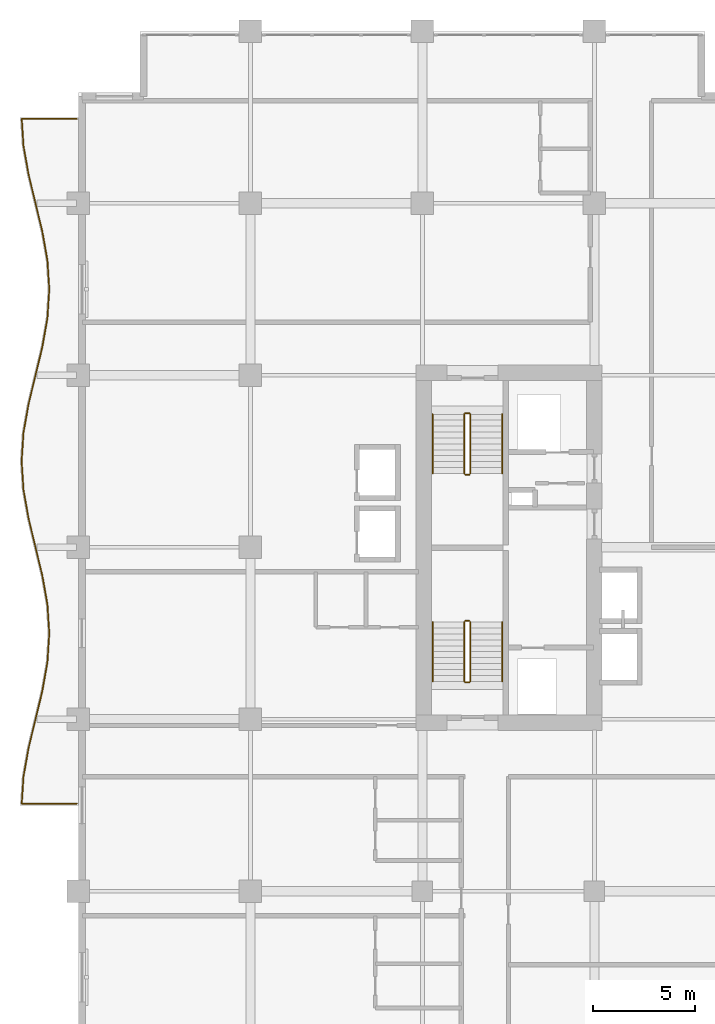
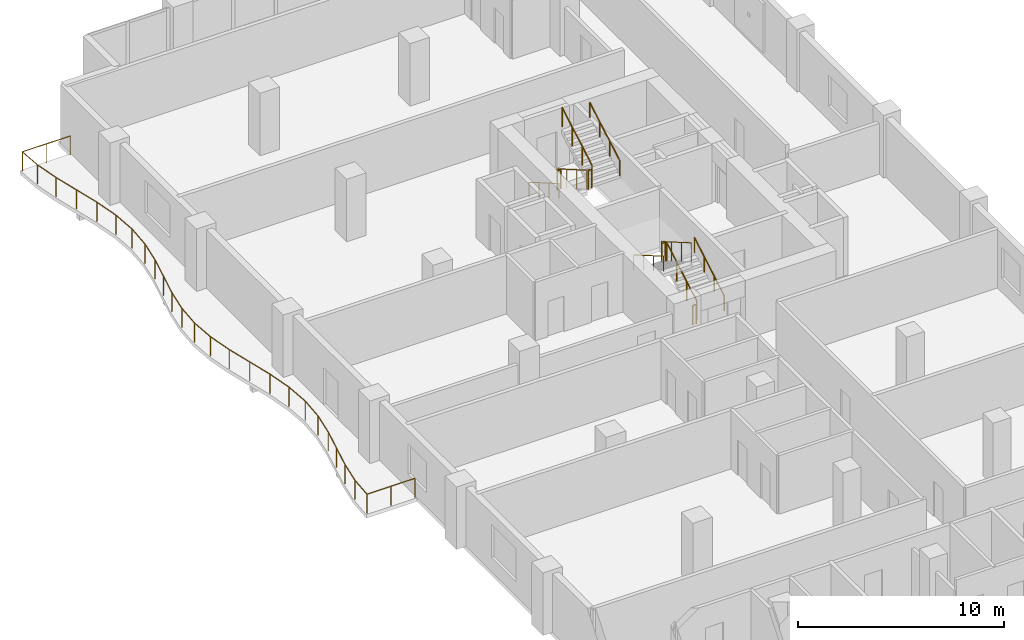
# One storey, part 19 of 20: 13 railings.
"""IFC4 building model written with IfcOpenShell, lengths in metres."""

from ifc_helpers import new_model, si_unit, direction, frame, origin, origin_2d, place, context, subcontext, project, spatial, circle, extrude, material, type_object, element, save


model = new_model("IFC4")

# Units and contexts
model_context = context("Model", 3, precision=1e-05, world=origin(), true_north=direction((0.0, 1.0)))
body_context = subcontext(model_context, "Body", "Model", "MODEL_VIEW")
ifc_project = project(units=[si_unit("LENGTHUNIT", "METRE"), si_unit("AREAUNIT", "SQUARE_METRE"), si_unit("VOLUMEUNIT", "CUBIC_METRE"), si_unit("PLANEANGLEUNIT", "RADIAN"), si_unit("MASSUNIT", "GRAM", prefix="KILO")], contexts=[model_context])

# Site, building, storey
site_placement = place(None, origin())
site = spatial("IfcSite", under=ifc_project, at=site_placement, CompositionType="ELEMENT")
building_placement = place(site_placement, origin())
building = spatial("IfcBuilding", under=site, at=building_placement, Name="Koriwani Terraces Tower", CompositionType="ELEMENT")
storey_placement = place(building_placement, frame((0.0, 0.0, 175.39990234375)))
storey = spatial("IfcBuildingStorey", under=building, at=storey_placement, Name="L42", CompositionType="ELEMENT", Elevation=175.39990234375)

# Railings
ifc_material = material(Name="Steel ASTM A572 Grade 50", Category="steel")
railing_type_1 = type_object("IfcRailingType", Name="GUARD_BALUSTRADE_1150", PredefinedType="BALUSTRADE", material=ifc_material)
railing_1_placement = place(storey_placement, frame((-0.080078125, 37.8798828125, 0.0)))
element("IfcRailing", 1, at=railing_1_placement, inside=storey, type_object=railing_type_1, Name="L42 Balcony Perimeter Safety Balustrade (W)", PredefinedType="BALUSTRADE", context=body_context, shape_type="SweptSolid", body=[
    extrude(circle(Radius=0.02392578125, at=origin_2d()), frame((0.0, 0.0, 1.1259765625), z_axis=(-1.0, 0.0, 0.0), x_axis=(0.0, -1.0, 0.0)), (0.0, 0.0, 1.0), 2.6845703125),
    extrude(circle(Radius=0.02392578125, at=origin_2d()), frame((-2.6845703125, 0.0, 1.1259765625), z_axis=(0.064322557637, 0.997929160101, 0.0), x_axis=(-0.997929160101, 0.064322557637, 0.0)), (0.0, 0.0, 1.0), 1.313232421875),
    extrude(circle(Radius=0.02392578125, at=origin_2d()), frame((-2.60009765625, 1.310546875, 1.1259765625), z_axis=(0.173932985997, 0.984757491153, 0.0), x_axis=(-0.984757491153, 0.173932985997, 0.0)), (0.0, 0.0, 1.0), 1.414794921875),
    extrude(circle(Radius=0.02392578125, at=origin_2d()), frame((-2.35400390625, 2.703857421875, 1.1259765625), z_axis=(0.234289744186, 0.972166814785, 0.0), x_axis=(-0.972166814785, 0.234289744186, 0.0)), (0.0, 0.0, 1.0), 2.880126953125),
    extrude(circle(Radius=0.02392578125, at=origin_2d()), frame((-1.67919921875, 5.50390625, 1.1259765625), z_axis=(0.173814583381, 0.984778396698, 0.0), x_axis=(-0.984778396698, 0.173814583381, 0.0)), (0.0, 0.0, 1.0), 1.428466796875),
    extrude(circle(Radius=0.02392578125, at=origin_2d()), frame((-1.430908203125, 6.91064453125, 1.1259765625), z_axis=(0.064304534842, 0.997930321615, 0.0), x_axis=(-0.997930321615, 0.064304534842, 0.0)), (0.0, 0.0, 1.0), 1.412353515625),
    extrude(circle(Radius=0.02392578125, at=origin_2d()), frame((-1.340087890625, 8.320068359375, 1.1259765625), z_axis=(-0.064293443969, 0.997931036226, 0.0), x_axis=(-0.997931036226, -0.064293443969, 0.0)), (0.0, 0.0, 1.0), 1.41259765625),
    extrude(circle(Radius=0.02392578125, at=origin_2d()), frame((-1.430908203125, 9.729736328125, 1.1259765625), z_axis=(-0.173814583381, 0.984778396698, 0.0), x_axis=(-0.984778396698, -0.173814583381, 0.0)), (0.0, 0.0, 1.0), 1.428466796875),
    extrude(circle(Radius=0.02392578125, at=origin_2d()), frame((-1.67919921875, 11.136474609375, 1.1259765625), z_axis=(-0.234289744186, 0.972166814785, 0.0), x_axis=(-0.972166814785, -0.234289744186, 0.0)), (0.0, 0.0, 1.0), 2.880126953125),
    extrude(circle(Radius=0.02392578125, at=origin_2d()), frame((-2.35400390625, 13.9365234375, 1.1259765625), z_axis=(-0.173932985997, 0.984757491153, 0.0), x_axis=(-0.984757491153, -0.173932985997, 0.0)), (0.0, 0.0, 1.0), 1.414794921875),
    extrude(circle(Radius=0.02392578125, at=origin_2d()), frame((-2.60009765625, 15.329833984375, 1.1259765625), z_axis=(-0.064309099225, 0.997930027485, 0.0), x_axis=(-0.997930027485, -0.064309099225, 0.0)), (0.0, 0.0, 1.0), 1.393310546875),
    extrude(circle(Radius=0.02392578125, at=origin_2d()), frame((-2.689697265625, 16.72021484375, 1.1259765625), z_axis=(0.064309099225, 0.997930027485, 0.0), x_axis=(-0.997930027485, 0.064309099225, 0.0)), (0.0, 0.0, 1.0), 1.393310546875),
    extrude(circle(Radius=0.02392578125, at=origin_2d()), frame((-2.60009765625, 18.110595703125, 1.1259765625), z_axis=(0.173932985997, 0.984757491153, 0.0), x_axis=(-0.984757491153, 0.173932985997, 0.0)), (0.0, 0.0, 1.0), 1.414794921875),
    extrude(circle(Radius=0.02392578125, at=origin_2d()), frame((-2.35400390625, 19.50390625, 1.1259765625), z_axis=(0.234309052487, 0.97216216133, 0.0), x_axis=(-0.97216216133, 0.234309052487, 0.0)), (0.0, 0.0, 1.0), 2.8798828125),
    extrude(circle(Radius=0.02392578125, at=origin_2d()), frame((-1.67919921875, 22.3037109375, 1.1259765625), z_axis=(0.173785333909, 0.984783558818, 0.0), x_axis=(-0.984783558818, 0.173785333909, 0.0)), (0.0, 0.0, 1.0), 1.4287109375),
    extrude(circle(Radius=0.02392578125, at=origin_2d()), frame((-1.430908203125, 23.710693359375, 1.1259765625), z_axis=(0.064304534842, 0.997930321615, 0.0), x_axis=(-0.997930321615, 0.064304534842, 0.0)), (0.0, 0.0, 1.0), 1.412353515625),
    extrude(circle(Radius=0.02392578125, at=origin_2d()), frame((-1.340087890625, 25.1201171875, 1.1259765625), z_axis=(-0.064304534842, 0.997930321615, 0.0), x_axis=(-0.997930321615, -0.064304534842, 0.0)), (0.0, 0.0, 1.0), 1.412353515625),
    extrude(circle(Radius=0.02392578125, at=origin_2d()), frame((-1.430908203125, 26.529541015625, 1.1259765625), z_axis=(-0.173785333909, 0.984783558818, 0.0), x_axis=(-0.984783558818, -0.173785333909, 0.0)), (0.0, 0.0, 1.0), 1.4287109375),
    extrude(circle(Radius=0.02392578125, at=origin_2d()), frame((-1.67919921875, 27.9365234375, 1.1259765625), z_axis=(-0.234309052487, 0.97216216133, 0.0), x_axis=(-0.97216216133, -0.234309052487, 0.0)), (0.0, 0.0, 1.0), 2.8798828125),
    extrude(circle(Radius=0.02392578125, at=origin_2d()), frame((-2.35400390625, 30.736328125, 1.1259765625), z_axis=(-0.173932985997, 0.984757491153, 0.0), x_axis=(-0.984757491153, -0.173932985997, 0.0)), (0.0, 0.0, 1.0), 1.414794921875),
    extrude(circle(Radius=0.02392578125, at=origin_2d()), frame((-2.60009765625, 32.129638671875, 1.1259765625), z_axis=(-0.064322557637, 0.997929160101, 0.0), x_axis=(-0.997929160101, -0.064322557637, 0.0)), (0.0, 0.0, 1.0), 1.313232421875),
    extrude(circle(Radius=0.02392578125, at=origin_2d()), frame((-2.6845703125, 33.440185546875, 1.1259765625), z_axis=(1.0, 0.0, 0.0), x_axis=(0.0, 1.0, 0.0)), (0.0, 0.0, 1.0), 2.6845703125),
    extrude(circle(Radius=0.02099609375, at=origin_2d()), origin(), (0.0, 0.0, 1.0), 1.101806640625),
    extrude(circle(Radius=0.02099609375, at=origin_2d()), frame((-1.34228515625, 0.0, 0.0)), (0.0, 0.0, 1.0), 1.101806640625),
    extrude(circle(Radius=0.02099609375, at=origin_2d()), frame((-2.6845703125, 0.0, 0.0)), (0.0, 0.0, 1.0), 1.101806640625),
    extrude(circle(Radius=0.02099609375, at=origin_2d()), frame((-2.60009765625, 1.310546875, 0.0)), (0.0, 0.0, 1.0), 1.101806640625),
    extrude(circle(Radius=0.02099609375, at=origin_2d()), frame((-2.35400390625, 2.703857421875, 0.0)), (0.0, 0.0, 1.0), 1.101806640625),
    extrude(circle(Radius=0.02099609375, at=origin_2d()), frame((-2.0166015625, 4.10400390625, 0.0)), (0.0, 0.0, 1.0), 1.101806640625),
    extrude(circle(Radius=0.02099609375, at=origin_2d()), frame((-1.67919921875, 5.50390625, 0.0)), (0.0, 0.0, 1.0), 1.101806640625),
    extrude(circle(Radius=0.02099609375, at=origin_2d()), frame((-1.430908203125, 6.91064453125, 0.0)), (0.0, 0.0, 1.0), 1.101806640625),
    extrude(circle(Radius=0.02099609375, at=origin_2d()), frame((-1.340087890625, 8.320068359375, 0.0)), (0.0, 0.0, 1.0), 1.101806640625),
    extrude(circle(Radius=0.02099609375, at=origin_2d()), frame((-1.430908203125, 9.729736328125, 0.0)), (0.0, 0.0, 1.0), 1.101806640625),
    extrude(circle(Radius=0.02099609375, at=origin_2d()), frame((-1.67919921875, 11.136474609375, 0.0)), (0.0, 0.0, 1.0), 1.101806640625),
    extrude(circle(Radius=0.02099609375, at=origin_2d()), frame((-2.0166015625, 12.53662109375, 0.0)), (0.0, 0.0, 1.0), 1.101806640625),
    extrude(circle(Radius=0.02099609375, at=origin_2d()), frame((-2.35400390625, 13.9365234375, 0.0)), (0.0, 0.0, 1.0), 1.101806640625),
    extrude(circle(Radius=0.02099609375, at=origin_2d()), frame((-2.60009765625, 15.329833984375, 0.0)), (0.0, 0.0, 1.0), 1.101806640625),
    extrude(circle(Radius=0.02099609375, at=origin_2d()), frame((-2.689697265625, 16.72021484375, 0.0)), (0.0, 0.0, 1.0), 1.101806640625),
    extrude(circle(Radius=0.02099609375, at=origin_2d()), frame((-2.60009765625, 18.110595703125, 0.0)), (0.0, 0.0, 1.0), 1.101806640625),
    extrude(circle(Radius=0.02099609375, at=origin_2d()), frame((-2.35400390625, 19.50390625, 0.0)), (0.0, 0.0, 1.0), 1.101806640625),
    extrude(circle(Radius=0.02099609375, at=origin_2d()), frame((-2.0166015625, 20.90380859375, 0.0)), (0.0, 0.0, 1.0), 1.101806640625),
    extrude(circle(Radius=0.02099609375, at=origin_2d()), frame((-1.67919921875, 22.3037109375, 0.0)), (0.0, 0.0, 1.0), 1.101806640625),
    extrude(circle(Radius=0.02099609375, at=origin_2d()), frame((-1.430908203125, 23.710693359375, 0.0)), (0.0, 0.0, 1.0), 1.101806640625),
    extrude(circle(Radius=0.02099609375, at=origin_2d()), frame((-1.340087890625, 25.1201171875, 0.0)), (0.0, 0.0, 1.0), 1.101806640625),
    extrude(circle(Radius=0.02099609375, at=origin_2d()), frame((-1.430908203125, 26.529541015625, 0.0)), (0.0, 0.0, 1.0), 1.101806640625),
    extrude(circle(Radius=0.02099609375, at=origin_2d()), frame((-1.67919921875, 27.9365234375, 0.0)), (0.0, 0.0, 1.0), 1.101806640625),
    extrude(circle(Radius=0.02099609375, at=origin_2d()), frame((-2.0166015625, 29.33642578125, 0.0)), (0.0, 0.0, 1.0), 1.101806640625),
    extrude(circle(Radius=0.02099609375, at=origin_2d()), frame((-2.35400390625, 30.736328125, 0.0)), (0.0, 0.0, 1.0), 1.101806640625),
    extrude(circle(Radius=0.02099609375, at=origin_2d()), frame((-2.60009765625, 32.129638671875, 0.0)), (0.0, 0.0, 1.0), 1.101806640625),
    extrude(circle(Radius=0.02099609375, at=origin_2d()), frame((-2.6845703125, 33.440185546875, 0.0)), (0.0, 0.0, 1.0), 1.101806640625),
    extrude(circle(Radius=0.02099609375, at=origin_2d()), frame((-1.34228515625, 33.440185546875, 0.0)), (0.0, 0.0, 1.0), 1.101806640625),
    extrude(circle(Radius=0.02099609375, at=origin_2d()), frame((0.0, 33.440185546875, 0.0)), (0.0, 0.0, 1.0), 1.101806640625),
])
railing_type_2 = type_object("IfcRailingType", Name="GUARD_STAIR_WELL_1120", PredefinedType="GUARDRAIL", material=ifc_material)
railing_2_placement = place(storey_placement, frame((19.14990234375, 43.85009765625, 0.168212890625)))
element("IfcRailing", 2, at=railing_2_placement, inside=storey, type_object=railing_type_2, Name="L42 ST-W1 stair guard 1", PredefinedType="GUARDRAIL", context=body_context, shape_type="SweptSolid", body=[
    extrude(circle(Radius=0.02392578125, at=origin_2d()), frame((0.0, 0.0, 1.1259765625), z_axis=(0.0, 0.865038774852, 0.501705010941), x_axis=(-1.0, 0.0, 0.0)), (0.0, 0.0, 1.0), 3.352294921875),
    extrude(circle(Radius=0.02099609375, at=origin_2d()), origin(), (0.0, 0.0, 1.0), 1.101806640625),
    extrude(circle(Radius=0.02099609375, at=origin_2d()), frame((0.0, 0.966552734375, 0.560546875)), (0.0, 0.0, 1.0), 1.101806640625),
    extrude(circle(Radius=0.02099609375, at=origin_2d()), frame((0.0, 1.933349609375, 1.121337890625)), (0.0, 0.0, 1.0), 1.101806640625),
    extrude(circle(Radius=0.02099609375, at=origin_2d()), frame((0.0, 2.89990234375, 1.681884765625)), (0.0, 0.0, 1.0), 1.101806640625),
])
railing_3_placement = place(storey_placement, frame((19.10009765625, 46.800048828125, 1.85009765625)))
element("IfcRailing", 3, at=railing_3_placement, inside=storey, type_object=railing_type_2, Name="L42 ST-W1 stair guard 2", PredefinedType="GUARDRAIL", context=body_context, shape_type="SweptSolid", body=[
    extrude(circle(Radius=0.02392578125, at=origin_2d()), frame((0.0, 0.0, 1.1259765625), z_axis=(-1.0, 0.0, 0.0), x_axis=(0.0, -1.0, 0.0)), (0.0, 0.0, 1.0), 0.2001953125),
    extrude(circle(Radius=0.02099609375, at=origin_2d()), origin(), (0.0, 0.0, 1.0), 1.101806640625),
    extrude(circle(Radius=0.02099609375, at=origin_2d()), frame((-0.2001953125, 0.0, 0.0)), (0.0, 0.0, 1.0), 1.101806640625),
])
railing_4_placement = place(storey_placement, frame((18.85009765625, 46.75, 2.018310546875)))
element("IfcRailing", 4, at=railing_4_placement, inside=storey, type_object=railing_type_2, Name="L42 ST-W1 stair guard 3", PredefinedType="GUARDRAIL", context=body_context, shape_type="SweptSolid", body=[
    extrude(circle(Radius=0.02392578125, at=origin_2d()), frame((0.0, 0.0, 1.1259765625), z_axis=(0.0, -0.865038774852, 0.501705010941), x_axis=(1.0, 0.0, 0.0)), (0.0, 0.0, 1.0), 3.352294921875),
    extrude(circle(Radius=0.02099609375, at=origin_2d()), origin(), (0.0, 0.0, 1.0), 1.101806640625),
    extrude(circle(Radius=0.02099609375, at=origin_2d()), frame((0.0, -0.966552734375, 0.560546875)), (0.0, 0.0, 1.0), 1.101806640625),
    extrude(circle(Radius=0.02099609375, at=origin_2d()), frame((0.0, -1.933349609375, 1.121337890625)), (0.0, 0.0, 1.0), 1.101806640625),
    extrude(circle(Radius=0.02099609375, at=origin_2d()), frame((0.0, -2.89990234375, 1.681884765625)), (0.0, 0.0, 1.0), 1.101806640625),
])
railing_5_placement = place(storey_placement, frame((19.10009765625, 43.800048828125, 0.0)))
element("IfcRailing", 5, at=railing_5_placement, inside=storey, type_object=railing_type_2, Name="L42 ST-W1 stair guard 4", PredefinedType="GUARDRAIL", context=body_context, shape_type="SweptSolid", body=[
    extrude(circle(Radius=0.02392578125, at=origin_2d()), frame((0.0, 0.0, 1.1259765625), z_axis=(-1.0, 0.0, 0.0), x_axis=(0.0, -1.0, 0.0)), (0.0, 0.0, 1.0), 0.2001953125),
    extrude(circle(Radius=0.02099609375, at=origin_2d()), origin(), (0.0, 0.0, 1.0), 1.101806640625),
    extrude(circle(Radius=0.02099609375, at=origin_2d()), frame((-0.2001953125, 0.0, 0.0)), (0.0, 0.0, 1.0), 1.101806640625),
])
railing_6_placement = place(storey_placement, frame((18.85009765625, 56.89990234375, 0.168212890625)))
element("IfcRailing", 6, at=railing_6_placement, inside=storey, type_object=railing_type_2, Name="L42 ST-W2 stair guard 1", PredefinedType="GUARDRAIL", context=body_context, shape_type="SweptSolid", body=[
    extrude(circle(Radius=0.02392578125, at=origin_2d()), frame((0.0, 0.0, 1.1259765625), z_axis=(0.0, -0.865038774852, 0.501705010941), x_axis=(1.0, 0.0, 0.0)), (0.0, 0.0, 1.0), 3.352294921875),
    extrude(circle(Radius=0.02099609375, at=origin_2d()), origin(), (0.0, 0.0, 1.0), 1.101806640625),
    extrude(circle(Radius=0.02099609375, at=origin_2d()), frame((0.0, -0.966552734375, 0.560546875)), (0.0, 0.0, 1.0), 1.101806640625),
    extrude(circle(Radius=0.02099609375, at=origin_2d()), frame((0.0, -1.933349609375, 1.121337890625)), (0.0, 0.0, 1.0), 1.101806640625),
    extrude(circle(Radius=0.02099609375, at=origin_2d()), frame((0.0, -2.89990234375, 1.681884765625)), (0.0, 0.0, 1.0), 1.101806640625),
])
railing_7_placement = place(storey_placement, frame((18.89990234375, 53.949951171875, 1.85009765625)))
element("IfcRailing", 7, at=railing_7_placement, inside=storey, type_object=railing_type_2, Name="L42 ST-W2 stair guard 2", PredefinedType="GUARDRAIL", context=body_context, shape_type="SweptSolid", body=[
    extrude(circle(Radius=0.02392578125, at=origin_2d()), frame((0.0, 0.0, 1.1259765625), z_axis=(1.0, 0.0, 0.0), x_axis=(0.0, 1.0, 0.0)), (0.0, 0.0, 1.0), 0.2001953125),
    extrude(circle(Radius=0.02099609375, at=origin_2d()), origin(), (0.0, 0.0, 1.0), 1.101806640625),
    extrude(circle(Radius=0.02099609375, at=origin_2d()), frame((0.2001953125, 0.0, 0.0)), (0.0, 0.0, 1.0), 1.101806640625),
])
railing_8_placement = place(storey_placement, frame((19.14990234375, 54.0, 2.018310546875)))
element("IfcRailing", 8, at=railing_8_placement, inside=storey, type_object=railing_type_2, Name="L42 ST-W2 stair guard 3", PredefinedType="GUARDRAIL", context=body_context, shape_type="SweptSolid", body=[
    extrude(circle(Radius=0.02392578125, at=origin_2d()), frame((0.0, 0.0, 1.1259765625), z_axis=(0.0, 0.865038774852, 0.501705010941), x_axis=(-1.0, 0.0, 0.0)), (0.0, 0.0, 1.0), 3.352294921875),
    extrude(circle(Radius=0.02099609375, at=origin_2d()), origin(), (0.0, 0.0, 1.0), 1.101806640625),
    extrude(circle(Radius=0.02099609375, at=origin_2d()), frame((0.0, 0.966552734375, 0.560546875)), (0.0, 0.0, 1.0), 1.101806640625),
    extrude(circle(Radius=0.02099609375, at=origin_2d()), frame((0.0, 1.933349609375, 1.121337890625)), (0.0, 0.0, 1.0), 1.101806640625),
    extrude(circle(Radius=0.02099609375, at=origin_2d()), frame((0.0, 2.89990234375, 1.681884765625)), (0.0, 0.0, 1.0), 1.101806640625),
])
railing_9_placement = place(storey_placement, frame((18.89990234375, 56.949951171875, 0.0)))
element("IfcRailing", 9, at=railing_9_placement, inside=storey, type_object=railing_type_2, Name="L42 ST-W2 stair guard 4", PredefinedType="GUARDRAIL", context=body_context, shape_type="SweptSolid", body=[
    extrude(circle(Radius=0.02392578125, at=origin_2d()), frame((0.0, 0.0, 1.1259765625), z_axis=(1.0, 0.0, 0.0), x_axis=(0.0, 1.0, 0.0)), (0.0, 0.0, 1.0), 0.2001953125),
    extrude(circle(Radius=0.02099609375, at=origin_2d()), origin(), (0.0, 0.0, 1.0), 1.101806640625),
    extrude(circle(Radius=0.02099609375, at=origin_2d()), frame((0.2001953125, 0.0, 0.0)), (0.0, 0.0, 1.0), 1.101806640625),
])
railing_type_3 = type_object("IfcRailingType", Name="HANDRAIL_STAIR_920", PredefinedType="HANDRAIL", material=ifc_material)
railing_10_placement = place(storey_placement, frame((20.699951171875, 43.85009765625, 0.168212890625)))
element("IfcRailing", 10, at=railing_10_placement, inside=storey, type_object=railing_type_3, Name="L42 ST-W1 stair handrail 1", PredefinedType="HANDRAIL", context=body_context, shape_type="SweptSolid", body=[
    extrude(circle(Radius=0.02392578125, at=origin_2d()), frame((0.0, 0.0, 0.8759765625), z_axis=(0.0, 0.865038774852, 0.501705010941), x_axis=(-1.0, 0.0, 0.0)), (0.0, 0.0, 1.0), 3.352294921875),
    extrude(circle(Radius=0.02099609375, at=origin_2d()), origin(), (0.0, 0.0, 1.0), 0.851806640625),
    extrude(circle(Radius=0.02099609375, at=origin_2d()), frame((0.0, 0.966552734375, 0.560546875)), (0.0, 0.0, 1.0), 0.851806640625),
    extrude(circle(Radius=0.02099609375, at=origin_2d()), frame((0.0, 1.933349609375, 1.121337890625)), (0.0, 0.0, 1.0), 0.851806640625),
    extrude(circle(Radius=0.02099609375, at=origin_2d()), frame((0.0, 2.89990234375, 1.681884765625)), (0.0, 0.0, 1.0), 0.851806640625),
])
for number, where, name in (
    (11, (17.300048828125, 46.75, 2.018310546875), "L42 ST-W1 stair handrail 2"),
    (12, (17.300048828125, 56.89990234375, 0.168212890625), "L42 ST-W2 stair handrail 1"),
):
    element("IfcRailing", number, at=place(storey_placement, frame(where)), inside=storey, type_object=railing_type_3, Name=name, PredefinedType="HANDRAIL", context=body_context, shape_type="SweptSolid", body=[
        extrude(circle(Radius=0.02392578125, at=origin_2d()), frame((0.0, 0.0, 0.8759765625), z_axis=(0.0, -0.865038774852, 0.501705010941), x_axis=(1.0, 0.0, 0.0)), (0.0, 0.0, 1.0), 3.352294921875),
        extrude(circle(Radius=0.02099609375, at=origin_2d()), origin(), (0.0, 0.0, 1.0), 0.851806640625),
        extrude(circle(Radius=0.02099609375, at=origin_2d()), frame((0.0, -0.966552734375, 0.560546875)), (0.0, 0.0, 1.0), 0.851806640625),
        extrude(circle(Radius=0.02099609375, at=origin_2d()), frame((0.0, -1.933349609375, 1.121337890625)), (0.0, 0.0, 1.0), 0.851806640625),
        extrude(circle(Radius=0.02099609375, at=origin_2d()), frame((0.0, -2.89990234375, 1.681884765625)), (0.0, 0.0, 1.0), 0.851806640625),
    ])
railing_11_placement = place(storey_placement, frame((20.699951171875, 54.0, 2.018310546875)))
element("IfcRailing", 13, at=railing_11_placement, inside=storey, type_object=railing_type_3, Name="L42 ST-W2 stair handrail 2", PredefinedType="HANDRAIL", context=body_context, shape_type="SweptSolid", body=[
    extrude(circle(Radius=0.02392578125, at=origin_2d()), frame((0.0, 0.0, 0.8759765625), z_axis=(0.0, 0.865038774852, 0.501705010941), x_axis=(-1.0, 0.0, 0.0)), (0.0, 0.0, 1.0), 3.352294921875),
    extrude(circle(Radius=0.02099609375, at=origin_2d()), origin(), (0.0, 0.0, 1.0), 0.851806640625),
    extrude(circle(Radius=0.02099609375, at=origin_2d()), frame((0.0, 0.966552734375, 0.560546875)), (0.0, 0.0, 1.0), 0.851806640625),
    extrude(circle(Radius=0.02099609375, at=origin_2d()), frame((0.0, 1.933349609375, 1.121337890625)), (0.0, 0.0, 1.0), 0.851806640625),
    extrude(circle(Radius=0.02099609375, at=origin_2d()), frame((0.0, 2.89990234375, 1.681884765625)), (0.0, 0.0, 1.0), 0.851806640625),
])

save(model, "model.ifc")
